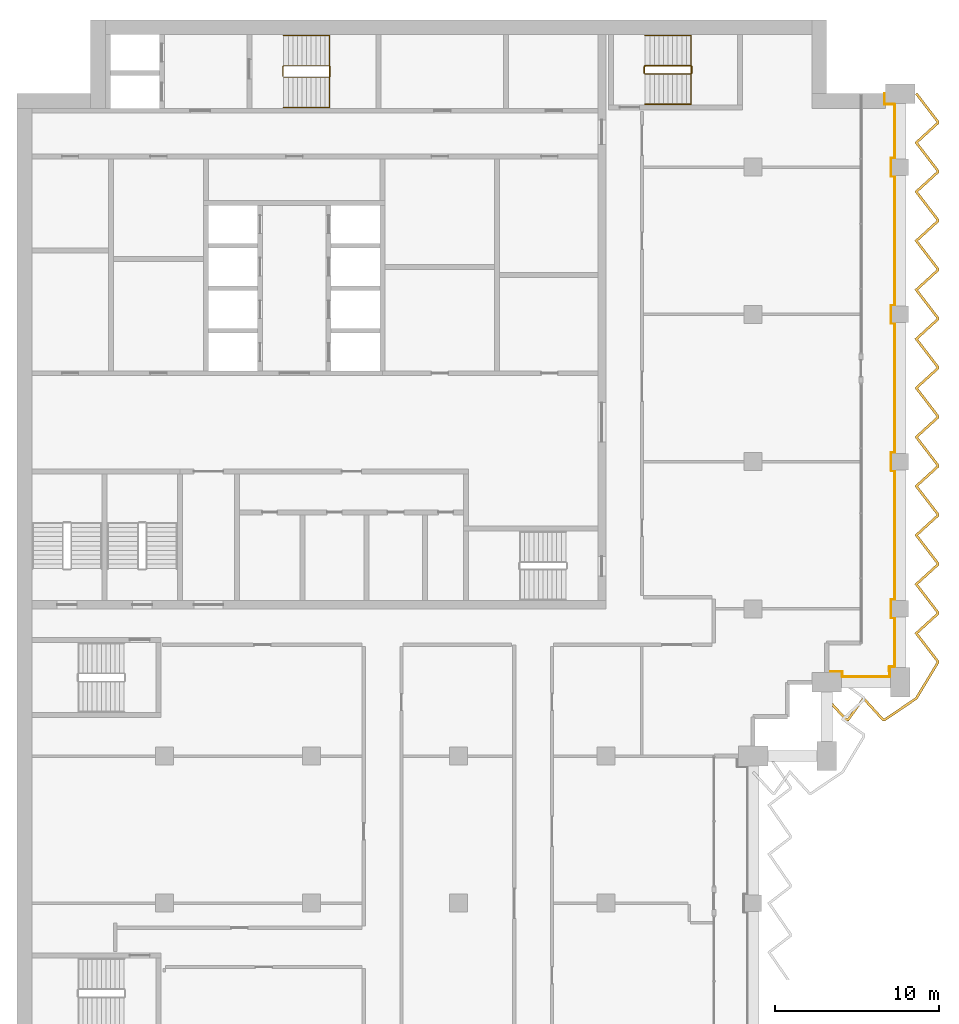
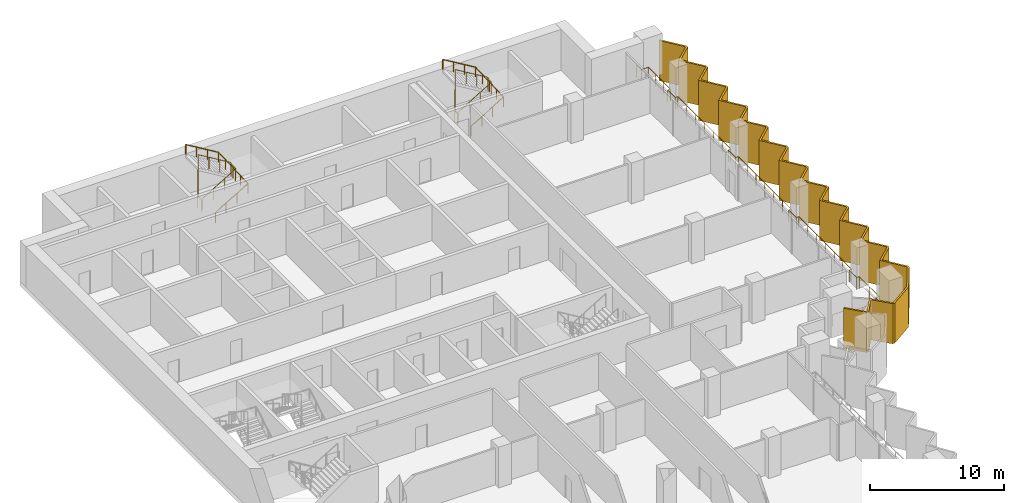
# One storey, part 17 of 17: 5 railings, 1 shading device.
"""IFC4 building model written with IfcOpenShell, lengths in metres."""

from ifc_helpers import new_model, si_unit, direction, frame, origin, origin_2d, place, context, subcontext, project, spatial, polyline, circle, outline, extrude, material, layer, layer_set, type_object, element, save


model = new_model("IFC4")

# Units and contexts
model_context = context("Model", 3, precision=1e-05, world=origin(), true_north=direction((0.0, 1.0)))
body_context = subcontext(model_context, "Body", "Model", "MODEL_VIEW")
ifc_project = project(units=[si_unit("LENGTHUNIT", "METRE"), si_unit("AREAUNIT", "SQUARE_METRE"), si_unit("VOLUMEUNIT", "CUBIC_METRE"), si_unit("PLANEANGLEUNIT", "RADIAN"), si_unit("MASSUNIT", "GRAM", prefix="KILO")], contexts=[model_context])

# Site, building, storey
site_placement = place(None, origin())
site = spatial("IfcSite", under=ifc_project, at=site_placement, CompositionType="ELEMENT")
building_placement = place(site_placement, origin())
building = spatial("IfcBuilding", under=site, at=building_placement, Name="Hunhe Ridgeline Campus", CompositionType="ELEMENT")
storey_placement = place(building_placement, frame((0.0, 0.0, 212.39990234375)))
storey = spatial("IfcBuildingStorey", under=building, at=storey_placement, Name="L54", CompositionType="ELEMENT", Elevation=212.39990234375)

# Railing
ifc_material_1 = material(Name="Steel Q355", Category="steel")
railing_type_1 = type_object("IfcRailingType", Name="Loggia guard 1100 Steel Q355", PredefinedType="GUARDRAIL", material=ifc_material_1)
railing_1_placement = place(storey_placement, frame((49.5, 59.169921875, 0.0)))
element("IfcRailing", 1, at=railing_1_placement, inside=storey, type_object=railing_type_1, Name="Loggia guard 2", PredefinedType="GUARDRAIL", context=body_context, shape_type="SweptSolid", body=[
    extrude(circle(Radius=0.02392578125, at=origin_2d()), frame((0.0, 0.0, 1.076171875), z_axis=(1.0, 0.0, 0.0), x_axis=(0.0, 1.0, 0.0)), (0.0, 0.0, 1.0), 0.949951171875),
    extrude(circle(Radius=0.02392578125, at=origin_2d()), frame((0.949951171875, 0.0, 1.076171875), z_axis=(0.0, -1.0, 0.0), x_axis=(1.0, 0.0, 0.0)), (0.0, 0.0, 1.0), 0.31982421875),
    extrude(circle(Radius=0.02392578125, at=origin_2d()), frame((0.949951171875, -0.31982421875, 1.076171875), z_axis=(1.0, 0.0, 0.0), x_axis=(0.0, 1.0, 0.0)), (0.0, 0.0, 1.0), 2.900146484375),
    extrude(circle(Radius=0.02392578125, at=origin_2d()), frame((3.85009765625, -0.31982421875, 1.076171875), z_axis=(0.0, 1.0, 0.0), x_axis=(-1.0, 0.0, 0.0)), (0.0, 0.0, 1.0), 0.619873046875),
    extrude(circle(Radius=0.02392578125, at=origin_2d()), frame((3.85009765625, 0.300048828125, 1.076171875), z_axis=(-0.066572895244, -0.99778156408, 0.0), x_axis=(0.99778156408, -0.066572895244, 0.0)), (0.0, 0.0, 1.0), 0.30078125),
    extrude(circle(Radius=0.02392578125, at=origin_2d()), frame((3.830078125, 0.0, 1.076171875), z_axis=(0.0, 1.0, 0.0), x_axis=(-1.0, 0.0, 0.0)), (0.0, 0.0, 1.0), 0.280029296875),
    extrude(circle(Radius=0.02392578125, at=origin_2d()), frame((3.830078125, 0.280029296875, 1.076171875), z_axis=(1.0, 0.0, 0.0), x_axis=(0.0, 1.0, 0.0)), (0.0, 0.0, 1.0), 0.31982421875),
    extrude(circle(Radius=0.02392578125, at=origin_2d()), frame((4.14990234375, 0.280029296875, 1.076171875), z_axis=(0.0, 1.0, 0.0), x_axis=(-1.0, 0.0, 0.0)), (0.0, 0.0, 1.0), 3.0),
    extrude(circle(Radius=0.02392578125, at=origin_2d()), frame((4.14990234375, 3.280029296875, 1.076171875), z_axis=(-1.0, 0.0, 0.0), x_axis=(0.0, -1.0, 0.0)), (0.0, 0.0, 1.0), 0.219970703125),
    extrude(circle(Radius=0.02392578125, at=origin_2d()), frame((3.929931640625, 3.280029296875, 1.076171875), z_axis=(0.0, 1.0, 0.0), x_axis=(-1.0, 0.0, 0.0)), (0.0, 0.0, 1.0), 1.10009765625),
    extrude(circle(Radius=0.02392578125, at=origin_2d()), frame((3.929931640625, 4.380126953125, 1.076171875), z_axis=(1.0, 0.0, 0.0), x_axis=(0.0, 1.0, 0.0)), (0.0, 0.0, 1.0), 0.219970703125),
    extrude(circle(Radius=0.02392578125, at=origin_2d()), frame((4.14990234375, 4.380126953125, 1.076171875), z_axis=(0.0, 1.0, 0.0), x_axis=(-1.0, 0.0, 0.0)), (0.0, 0.0, 1.0), 7.89990234375),
    extrude(circle(Radius=0.02392578125, at=origin_2d()), frame((4.14990234375, 12.280029296875, 1.076171875), z_axis=(-1.0, 0.0, 0.0), x_axis=(0.0, -1.0, 0.0)), (0.0, 0.0, 1.0), 0.219970703125),
    extrude(circle(Radius=0.02392578125, at=origin_2d()), frame((3.929931640625, 12.280029296875, 1.076171875), z_axis=(0.0, 1.0, 0.0), x_axis=(-1.0, 0.0, 0.0)), (0.0, 0.0, 1.0), 1.10009765625),
    extrude(circle(Radius=0.02392578125, at=origin_2d()), frame((3.929931640625, 13.380126953125, 1.076171875), z_axis=(1.0, 0.0, 0.0), x_axis=(0.0, 1.0, 0.0)), (0.0, 0.0, 1.0), 0.219970703125),
    extrude(circle(Radius=0.02392578125, at=origin_2d()), frame((4.14990234375, 13.380126953125, 1.076171875), z_axis=(0.0, 1.0, 0.0), x_axis=(-1.0, 0.0, 0.0)), (0.0, 0.0, 1.0), 7.89990234375),
    extrude(circle(Radius=0.02392578125, at=origin_2d()), frame((4.14990234375, 21.280029296875, 1.076171875), z_axis=(-1.0, 0.0, 0.0), x_axis=(0.0, -1.0, 0.0)), (0.0, 0.0, 1.0), 0.219970703125),
    extrude(circle(Radius=0.02392578125, at=origin_2d()), frame((3.929931640625, 21.280029296875, 1.076171875), z_axis=(0.0, 1.0, 0.0), x_axis=(-1.0, 0.0, 0.0)), (0.0, 0.0, 1.0), 1.10009765625),
    extrude(circle(Radius=0.02392578125, at=origin_2d()), frame((3.929931640625, 22.380126953125, 1.076171875), z_axis=(1.0, 0.0, 0.0), x_axis=(0.0, 1.0, 0.0)), (0.0, 0.0, 1.0), 0.219970703125),
    extrude(circle(Radius=0.02392578125, at=origin_2d()), frame((4.14990234375, 22.380126953125, 1.076171875), z_axis=(0.0, 1.0, 0.0), x_axis=(-1.0, 0.0, 0.0)), (0.0, 0.0, 1.0), 7.89990234375),
    extrude(circle(Radius=0.02392578125, at=origin_2d()), frame((4.14990234375, 30.280029296875, 1.076171875), z_axis=(-1.0, 0.0, 0.0), x_axis=(0.0, -1.0, 0.0)), (0.0, 0.0, 1.0), 0.219970703125),
    extrude(circle(Radius=0.02392578125, at=origin_2d()), frame((3.929931640625, 30.280029296875, 1.076171875), z_axis=(0.0, 1.0, 0.0), x_axis=(-1.0, 0.0, 0.0)), (0.0, 0.0, 1.0), 1.10009765625),
    extrude(circle(Radius=0.02392578125, at=origin_2d()), frame((3.929931640625, 31.380126953125, 1.076171875), z_axis=(1.0, 0.0, 0.0), x_axis=(0.0, 1.0, 0.0)), (0.0, 0.0, 1.0), 0.219970703125),
    extrude(circle(Radius=0.02392578125, at=origin_2d()), frame((4.14990234375, 31.380126953125, 1.076171875), z_axis=(0.0, 1.0, 0.0), x_axis=(-1.0, 0.0, 0.0)), (0.0, 0.0, 1.0), 3.300048828125),
    extrude(circle(Radius=0.02392578125, at=origin_2d()), frame((4.14990234375, 34.68017578125, 1.076171875), z_axis=(-1.0, 0.0, 0.0), x_axis=(0.0, -1.0, 0.0)), (0.0, 0.0, 1.0), 0.619873046875),
    extrude(circle(Radius=0.02392578125, at=origin_2d()), frame((3.530029296875, 34.68017578125, 1.076171875), z_axis=(0.0, 1.0, 0.0), x_axis=(-1.0, 0.0, 0.0)), (0.0, 0.0, 1.0), 0.64990234375),
    extrude(circle(Radius=0.02099609375, at=origin_2d()), origin(), (0.0, 0.0, 1.0), 1.052001953125),
    extrude(circle(Radius=0.02099609375, at=origin_2d()), frame((0.949951171875, 0.0, 0.0)), (0.0, 0.0, 1.0), 1.052001953125),
    extrude(circle(Radius=0.02099609375, at=origin_2d()), frame((0.949951171875, -0.31982421875, 0.0)), (0.0, 0.0, 1.0), 1.052001953125),
    extrude(circle(Radius=0.02099609375, at=origin_2d()), frame((2.39990234375, -0.31982421875, 0.0)), (0.0, 0.0, 1.0), 1.052001953125),
    extrude(circle(Radius=0.02099609375, at=origin_2d()), frame((3.85009765625, -0.31982421875, 0.0)), (0.0, 0.0, 1.0), 1.052001953125),
    extrude(circle(Radius=0.02099609375, at=origin_2d()), frame((3.85009765625, 0.300048828125, 0.0)), (0.0, 0.0, 1.0), 1.052001953125),
    extrude(circle(Radius=0.02099609375, at=origin_2d()), frame((3.830078125, 0.0, 0.0)), (0.0, 0.0, 1.0), 1.052001953125),
    extrude(circle(Radius=0.02099609375, at=origin_2d()), frame((3.830078125, 0.280029296875, 0.0)), (0.0, 0.0, 1.0), 1.052001953125),
    extrude(circle(Radius=0.02099609375, at=origin_2d()), frame((4.14990234375, 0.280029296875, 0.0)), (0.0, 0.0, 1.0), 1.052001953125),
    extrude(circle(Radius=0.02099609375, at=origin_2d()), frame((4.14990234375, 1.780029296875, 0.0)), (0.0, 0.0, 1.0), 1.052001953125),
    extrude(circle(Radius=0.02099609375, at=origin_2d()), frame((4.14990234375, 3.280029296875, 0.0)), (0.0, 0.0, 1.0), 1.052001953125),
    extrude(circle(Radius=0.02099609375, at=origin_2d()), frame((3.929931640625, 3.280029296875, 0.0)), (0.0, 0.0, 1.0), 1.052001953125),
    extrude(circle(Radius=0.02099609375, at=origin_2d()), frame((3.929931640625, 4.380126953125, 0.0)), (0.0, 0.0, 1.0), 1.052001953125),
    extrude(circle(Radius=0.02099609375, at=origin_2d()), frame((4.14990234375, 4.380126953125, 0.0)), (0.0, 0.0, 1.0), 1.052001953125),
    extrude(circle(Radius=0.02099609375, at=origin_2d()), frame((4.14990234375, 5.69677734375, 0.0)), (0.0, 0.0, 1.0), 1.052001953125),
    extrude(circle(Radius=0.02099609375, at=origin_2d()), frame((4.14990234375, 7.013427734375, 0.0)), (0.0, 0.0, 1.0), 1.052001953125),
    extrude(circle(Radius=0.02099609375, at=origin_2d()), frame((4.14990234375, 8.330078125, 0.0)), (0.0, 0.0, 1.0), 1.052001953125),
    extrude(circle(Radius=0.02099609375, at=origin_2d()), frame((4.14990234375, 9.646728515625, 0.0)), (0.0, 0.0, 1.0), 1.052001953125),
    extrude(circle(Radius=0.02099609375, at=origin_2d()), frame((4.14990234375, 10.96337890625, 0.0)), (0.0, 0.0, 1.0), 1.052001953125),
    extrude(circle(Radius=0.02099609375, at=origin_2d()), frame((4.14990234375, 12.280029296875, 0.0)), (0.0, 0.0, 1.0), 1.052001953125),
    extrude(circle(Radius=0.02099609375, at=origin_2d()), frame((3.929931640625, 12.280029296875, 0.0)), (0.0, 0.0, 1.0), 1.052001953125),
    extrude(circle(Radius=0.02099609375, at=origin_2d()), frame((3.929931640625, 13.380126953125, 0.0)), (0.0, 0.0, 1.0), 1.052001953125),
    extrude(circle(Radius=0.02099609375, at=origin_2d()), frame((4.14990234375, 13.380126953125, 0.0)), (0.0, 0.0, 1.0), 1.052001953125),
    extrude(circle(Radius=0.02099609375, at=origin_2d()), frame((4.14990234375, 14.69677734375, 0.0)), (0.0, 0.0, 1.0), 1.052001953125),
    extrude(circle(Radius=0.02099609375, at=origin_2d()), frame((4.14990234375, 16.013427734375, 0.0)), (0.0, 0.0, 1.0), 1.052001953125),
    extrude(circle(Radius=0.02099609375, at=origin_2d()), frame((4.14990234375, 17.330078125, 0.0)), (0.0, 0.0, 1.0), 1.052001953125),
    extrude(circle(Radius=0.02099609375, at=origin_2d()), frame((4.14990234375, 18.646728515625, 0.0)), (0.0, 0.0, 1.0), 1.052001953125),
    extrude(circle(Radius=0.02099609375, at=origin_2d()), frame((4.14990234375, 19.96337890625, 0.0)), (0.0, 0.0, 1.0), 1.052001953125),
    extrude(circle(Radius=0.02099609375, at=origin_2d()), frame((4.14990234375, 21.280029296875, 0.0)), (0.0, 0.0, 1.0), 1.052001953125),
    extrude(circle(Radius=0.02099609375, at=origin_2d()), frame((3.929931640625, 21.280029296875, 0.0)), (0.0, 0.0, 1.0), 1.052001953125),
    extrude(circle(Radius=0.02099609375, at=origin_2d()), frame((3.929931640625, 22.380126953125, 0.0)), (0.0, 0.0, 1.0), 1.052001953125),
    extrude(circle(Radius=0.02099609375, at=origin_2d()), frame((4.14990234375, 22.380126953125, 0.0)), (0.0, 0.0, 1.0), 1.052001953125),
    extrude(circle(Radius=0.02099609375, at=origin_2d()), frame((4.14990234375, 23.69677734375, 0.0)), (0.0, 0.0, 1.0), 1.052001953125),
    extrude(circle(Radius=0.02099609375, at=origin_2d()), frame((4.14990234375, 25.013427734375, 0.0)), (0.0, 0.0, 1.0), 1.052001953125),
    extrude(circle(Radius=0.02099609375, at=origin_2d()), frame((4.14990234375, 26.330078125, 0.0)), (0.0, 0.0, 1.0), 1.052001953125),
    extrude(circle(Radius=0.02099609375, at=origin_2d()), frame((4.14990234375, 27.646728515625, 0.0)), (0.0, 0.0, 1.0), 1.052001953125),
    extrude(circle(Radius=0.02099609375, at=origin_2d()), frame((4.14990234375, 28.96337890625, 0.0)), (0.0, 0.0, 1.0), 1.052001953125),
    extrude(circle(Radius=0.02099609375, at=origin_2d()), frame((4.14990234375, 30.280029296875, 0.0)), (0.0, 0.0, 1.0), 1.052001953125),
    extrude(circle(Radius=0.02099609375, at=origin_2d()), frame((3.929931640625, 30.280029296875, 0.0)), (0.0, 0.0, 1.0), 1.052001953125),
    extrude(circle(Radius=0.02099609375, at=origin_2d()), frame((3.929931640625, 31.380126953125, 0.0)), (0.0, 0.0, 1.0), 1.052001953125),
    extrude(circle(Radius=0.02099609375, at=origin_2d()), frame((4.14990234375, 31.380126953125, 0.0)), (0.0, 0.0, 1.0), 1.052001953125),
    extrude(circle(Radius=0.02099609375, at=origin_2d()), frame((4.14990234375, 32.480224609375, 0.0)), (0.0, 0.0, 1.0), 1.052001953125),
    extrude(circle(Radius=0.02099609375, at=origin_2d()), frame((4.14990234375, 33.580078125, 0.0)), (0.0, 0.0, 1.0), 1.052001953125),
    extrude(circle(Radius=0.02099609375, at=origin_2d()), frame((4.14990234375, 34.68017578125, 0.0)), (0.0, 0.0, 1.0), 1.052001953125),
    extrude(circle(Radius=0.02099609375, at=origin_2d()), frame((3.530029296875, 34.68017578125, 0.0)), (0.0, 0.0, 1.0), 1.052001953125),
    extrude(circle(Radius=0.02099609375, at=origin_2d()), frame((3.530029296875, 35.330078125, 0.0)), (0.0, 0.0, 1.0), 1.052001953125),
])

# Shading device
ifc_material_2 = material(Name="Concrete C50", Category="concrete")
ifc_layer = layer(ifc_material_2, 0.14990234375)
ifc_layer_set = layer_set([ifc_layer], Name="Sawtooth concrete fin 150 Concrete C50")
shading_device_type = type_object("IfcShadingDeviceType", Name="Sawtooth concrete fin 150 Concrete C50", PredefinedType="USERDEFINED", material=ifc_layer_set)
shading_device_placement = place(storey_placement, frame((0.0, 0.0, -0.949951171875)))
element("IfcShadingDevice", 2, at=shading_device_placement, inside=storey, type_object=shading_device_type, Name="Concrete fin screen 3", ObjectType="FIN", PredefinedType="USERDEFINED", context=body_context, shape_type="SweptSolid", body=[
    extrude(outline(polyline([(49.555419921875, 57.575439453125), (49.444580078125, 57.474365234375), (50.65283203125, 56.14990234375), (50.84423828125, 56.14990234375), (51.756591796875, 57.406494140625), (52.90283203125, 56.14990234375), (53.0791015625, 56.14990234375), (55.03076171875, 57.47216796875), (56.35009765625, 59.665283203125), (56.35009765625, 59.83154296875), (55.076416015625, 61.490966796875), (56.35009765625, 62.65283203125), (56.35009765625, 62.83154296875), (55.076416015625, 64.490966796875), (56.35009765625, 65.65283203125), (56.35009765625, 65.83154296875), (55.076416015625, 67.490966796875), (56.35009765625, 68.65283203125), (56.35009765625, 68.83154296875), (55.076416015625, 70.490966796875), (56.35009765625, 71.65283203125), (56.35009765625, 71.83154296875), (55.076416015625, 73.490966796875), (56.35009765625, 74.65283203125), (56.35009765625, 74.83154296875), (55.076416015625, 76.490966796875), (56.35009765625, 77.65283203125), (56.35009765625, 77.83154296875), (55.076416015625, 79.490966796875), (56.35009765625, 80.65283203125), (56.35009765625, 80.83154296875), (55.076416015625, 82.490966796875), (56.35009765625, 83.65283203125), (56.35009765625, 83.83154296875), (55.076416015625, 85.490966796875), (56.35009765625, 86.65283203125), (56.35009765625, 86.83154296875), (55.076416015625, 88.490966796875), (56.35009765625, 89.65283203125), (56.35009765625, 89.83154296875), (55.076416015625, 91.490966796875), (56.35009765625, 92.65283203125), (56.35009765625, 92.83154296875), (55.034423828125, 94.545654296875), (54.91552734375, 94.454345703125), (56.199951171875, 92.780517578125), (56.199951171875, 92.71923828125), (54.87353515625, 91.509033203125), (56.199951171875, 89.780517578125), (56.199951171875, 89.71923828125), (54.87353515625, 88.509033203125), (56.199951171875, 86.780517578125), (56.199951171875, 86.71923828125), (54.87353515625, 85.509033203125), (56.199951171875, 83.780517578125), (56.199951171875, 83.71923828125), (54.87353515625, 82.509033203125), (56.199951171875, 80.780517578125), (56.199951171875, 80.71923828125), (54.87353515625, 79.509033203125), (56.199951171875, 77.780517578125), (56.199951171875, 77.71923828125), (54.87353515625, 76.509033203125), (56.199951171875, 74.780517578125), (56.199951171875, 74.71923828125), (54.87353515625, 73.509033203125), (56.199951171875, 71.780517578125), (56.199951171875, 71.71923828125), (54.87353515625, 70.509033203125), (56.199951171875, 68.780517578125), (56.199951171875, 68.71923828125), (54.87353515625, 67.509033203125), (56.199951171875, 65.780517578125), (56.199951171875, 65.71923828125), (54.87353515625, 64.509033203125), (56.199951171875, 62.780517578125), (56.199951171875, 62.71923828125), (54.87353515625, 61.509033203125), (56.199951171875, 59.780517578125), (56.199951171875, 59.706787109375), (54.919189453125, 57.577880859375), (53.032958984375, 56.300048828125), (52.96923828125, 56.300048828125), (51.743408203125, 57.6435546875), (50.767822265625, 56.300048828125), (50.71923828125, 56.300048828125), (49.555419921875, 57.575439453125)])), origin(), (0.0, 0.0, 1.0), 3.650146484375),
])

# Railings
ifc_material_3 = material(Name="Stainless steel balustrade", Category="steel")
railing_type_2 = type_object("IfcRailingType", Name="Stair guard 1100 stainless", PredefinedType="GUARDRAIL", material=ifc_material_3)
railing_2_placement = place(storey_placement, frame((16.300048828125, 95.5, 0.168212890625)))
element("IfcRailing", 3, at=railing_2_placement, inside=storey, type_object=railing_type_2, Name="L54 stair S1 guard", PredefinedType="GUARDRAIL", context=body_context, shape_type="SweptSolid", body=[
    extrude(circle(Radius=0.02392578125, at=origin_2d()), frame((0.0, 0.0, 1.076171875), z_axis=(0.857242210791, 0.0, 0.514913383045), x_axis=(0.0, 1.0, 0.0)), (0.0, 0.0, 1.0), 3.266357421875),
    extrude(circle(Radius=0.02392578125, at=origin_2d()), frame((2.800048828125, 0.0, 2.7578125), z_axis=(0.705375805398, 0.708833529934, 0.0), x_axis=(-0.708833529934, 0.705375805398, 0.0)), (0.0, 0.0, 1.0), 0.070556640625),
    extrude(circle(Radius=0.02392578125, at=origin_2d()), frame((2.849853515625, 0.050048828125, 2.7578125), z_axis=(0.0, 1.0, 0.0), x_axis=(-1.0, 0.0, 0.0)), (0.0, 0.0, 1.0), 0.599853515625),
    extrude(circle(Radius=0.02392578125, at=origin_2d()), frame((2.849853515625, 0.64990234375, 2.7578125), z_axis=(-0.273006030465, 0.27434429532, 0.922064485248), x_axis=(-0.708833529934, -0.705375805398, 0.0)), (0.0, 0.0, 1.0), 0.182373046875),
    extrude(circle(Radius=0.02392578125, at=origin_2d()), frame((2.800048828125, 0.699951171875, 2.92626953125), z_axis=(-0.857242210791, 0.0, 0.514913383045), x_axis=(0.0, -1.0, 0.0)), (0.0, 0.0, 1.0), 3.266357421875),
    extrude(circle(Radius=0.02392578125, at=origin_2d()), frame((0.0, 0.699951171875, 4.60791015625), z_axis=(-0.013523522368, -0.013523522368, -0.999817097616), x_axis=(0.707106781187, -0.707106781187, 0.0)), (0.0, 0.0, 1.0), 3.700927734375),
    extrude(circle(Radius=0.02392578125, at=origin_2d()), frame((-0.050048828125, 0.64990234375, 0.90771484375), z_axis=(0.0, -1.0, 0.0), x_axis=(1.0, 0.0, 0.0)), (0.0, 0.0, 1.0), 0.599853515625),
    extrude(circle(Radius=0.02099609375, at=origin_2d()), origin(), (0.0, 0.0, 1.0), 1.052001953125),
    extrude(circle(Radius=0.02099609375, at=origin_2d()), frame((0.933349609375, 0.0, 0.560546875)), (0.0, 0.0, 1.0), 1.052001953125),
    extrude(circle(Radius=0.02099609375, at=origin_2d()), frame((1.86669921875, 0.0, 1.121337890625)), (0.0, 0.0, 1.0), 1.052001953125),
    extrude(circle(Radius=0.02099609375, at=origin_2d()), frame((2.800048828125, 0.0, 1.681884765625)), (0.0, 0.0, 1.0), 1.052001953125),
    extrude(circle(Radius=0.02099609375, at=origin_2d()), frame((2.849853515625, 0.050048828125, 1.681884765625)), (0.0, 0.0, 1.0), 1.052001953125),
    extrude(circle(Radius=0.02099609375, at=origin_2d()), frame((2.849853515625, 0.64990234375, 1.681884765625)), (0.0, 0.0, 1.0), 1.052001953125),
    extrude(circle(Radius=0.02099609375, at=origin_2d()), frame((2.800048828125, 0.699951171875, 1.85009765625)), (0.0, 0.0, 1.0), 1.052001953125),
    extrude(circle(Radius=0.02099609375, at=origin_2d()), frame((1.86669921875, 0.699951171875, 2.41064453125)), (0.0, 0.0, 1.0), 1.052001953125),
    extrude(circle(Radius=0.02099609375, at=origin_2d()), frame((0.933349609375, 0.699951171875, 2.971435546875)), (0.0, 0.0, 1.0), 1.052001953125),
    extrude(circle(Radius=0.02099609375, at=origin_2d()), frame((0.0, 0.699951171875, 3.531982421875)), (0.0, 0.0, 1.0), 1.052001953125),
    extrude(circle(Radius=0.02099609375, at=origin_2d()), frame((-0.012451171875, 0.6875, 2.60693359375)), (0.0, 0.0, 1.0), 1.052001953125),
    extrude(circle(Radius=0.02099609375, at=origin_2d()), frame((-0.02490234375, 0.6748046875, 1.681884765625)), (0.0, 0.0, 1.0), 1.052001953125),
    extrude(circle(Radius=0.02099609375, at=origin_2d()), frame((-0.03759765625, 0.662353515625, 0.7568359375)), (0.0, 0.0, 1.0), 1.052001953125),
    extrude(circle(Radius=0.02099609375, at=origin_2d()), frame((-0.050048828125, 0.64990234375, -0.168212890625)), (0.0, 0.0, 1.0), 1.052001953125),
    extrude(circle(Radius=0.02099609375, at=origin_2d()), frame((-0.050048828125, 0.050048828125, -0.168212890625)), (0.0, 0.0, 1.0), 1.052001953125),
])
railing_3_placement = place(storey_placement, frame((38.39990234375, 95.699951171875, 0.168212890625)))
element("IfcRailing", 4, at=railing_3_placement, inside=storey, type_object=railing_type_2, Name="L54 stair E1 guard", PredefinedType="GUARDRAIL", context=body_context, shape_type="SweptSolid", body=[
    extrude(circle(Radius=0.02392578125, at=origin_2d()), frame((0.0, 0.0, 1.076171875), z_axis=(0.857242210791, 0.0, 0.514913383045), x_axis=(0.0, 1.0, 0.0)), (0.0, 0.0, 1.0), 3.266357421875),
    extrude(circle(Radius=0.02392578125, at=origin_2d()), frame((2.800048828125, 0.0, 2.7578125), z_axis=(0.707106781187, 0.707106781187, 0.0), x_axis=(-0.707106781187, 0.707106781187, 0.0)), (0.0, 0.0, 1.0), 0.07080078125),
    extrude(circle(Radius=0.02392578125, at=origin_2d()), frame((2.85009765625, 0.050048828125, 2.7578125), z_axis=(0.0, 1.0, 0.0), x_axis=(-1.0, 0.0, 0.0)), (0.0, 0.0, 1.0), 0.39990234375),
    extrude(circle(Radius=0.02392578125, at=origin_2d()), frame((2.85009765625, 0.449951171875, 2.7578125), z_axis=(-0.274243871929, 0.274243871929, 0.92172696468), x_axis=(-0.707106781187, -0.707106781187, 0.0)), (0.0, 0.0, 1.0), 0.1826171875),
    extrude(circle(Radius=0.02392578125, at=origin_2d()), frame((2.800048828125, 0.5, 2.92626953125), z_axis=(-0.857242210791, 0.0, 0.514913383045), x_axis=(0.0, -1.0, 0.0)), (0.0, 0.0, 1.0), 3.266357421875),
    extrude(circle(Radius=0.02392578125, at=origin_2d()), frame((0.0, 0.5, 4.60791015625), z_axis=(-0.013457565943, -0.013523534403, -0.999817987404), x_axis=(0.708833529934, -0.705375805398, 0.0)), (0.0, 0.0, 1.0), 3.700927734375),
    extrude(circle(Radius=0.02392578125, at=origin_2d()), frame((-0.0498046875, 0.449951171875, 0.90771484375), z_axis=(0.0, -1.0, 0.0), x_axis=(1.0, 0.0, 0.0)), (0.0, 0.0, 1.0), 0.39990234375),
    extrude(circle(Radius=0.02099609375, at=origin_2d()), origin(), (0.0, 0.0, 1.0), 1.052001953125),
    extrude(circle(Radius=0.02099609375, at=origin_2d()), frame((0.933349609375, 0.0, 0.560546875)), (0.0, 0.0, 1.0), 1.052001953125),
    extrude(circle(Radius=0.02099609375, at=origin_2d()), frame((1.86669921875, 0.0, 1.121337890625)), (0.0, 0.0, 1.0), 1.052001953125),
    extrude(circle(Radius=0.02099609375, at=origin_2d()), frame((2.800048828125, 0.0, 1.681884765625)), (0.0, 0.0, 1.0), 1.052001953125),
    extrude(circle(Radius=0.02099609375, at=origin_2d()), frame((2.85009765625, 0.050048828125, 1.681884765625)), (0.0, 0.0, 1.0), 1.052001953125),
    extrude(circle(Radius=0.02099609375, at=origin_2d()), frame((2.85009765625, 0.449951171875, 1.681884765625)), (0.0, 0.0, 1.0), 1.052001953125),
    extrude(circle(Radius=0.02099609375, at=origin_2d()), frame((2.800048828125, 0.5, 1.85009765625)), (0.0, 0.0, 1.0), 1.052001953125),
    extrude(circle(Radius=0.02099609375, at=origin_2d()), frame((1.86669921875, 0.5, 2.41064453125)), (0.0, 0.0, 1.0), 1.052001953125),
    extrude(circle(Radius=0.02099609375, at=origin_2d()), frame((0.933349609375, 0.5, 2.971435546875)), (0.0, 0.0, 1.0), 1.052001953125),
    extrude(circle(Radius=0.02099609375, at=origin_2d()), frame((0.0, 0.5, 3.531982421875)), (0.0, 0.0, 1.0), 1.052001953125),
    extrude(circle(Radius=0.02099609375, at=origin_2d()), frame((-0.012451171875, 0.487548828125, 2.60693359375)), (0.0, 0.0, 1.0), 1.052001953125),
    extrude(circle(Radius=0.02099609375, at=origin_2d()), frame((-0.02490234375, 0.47509765625, 1.681884765625)), (0.0, 0.0, 1.0), 1.052001953125),
    extrude(circle(Radius=0.02099609375, at=origin_2d()), frame((-0.037353515625, 0.46240234375, 0.7568359375)), (0.0, 0.0, 1.0), 1.052001953125),
    extrude(circle(Radius=0.02099609375, at=origin_2d()), frame((-0.0498046875, 0.449951171875, -0.168212890625)), (0.0, 0.0, 1.0), 1.052001953125),
    extrude(circle(Radius=0.02099609375, at=origin_2d()), frame((-0.0498046875, 0.050048828125, -0.168212890625)), (0.0, 0.0, 1.0), 1.052001953125),
])
ifc_material_4 = material(Name="Stainless steel handrail", Category="steel")
railing_type_3 = type_object("IfcRailingType", Name="Stair handrail 900 stainless", PredefinedType="HANDRAIL", material=ifc_material_4)
railing_4_placement = place(storey_placement, frame((16.300048828125, 93.64990234375, 0.168212890625)))
element("IfcRailing", 5, at=railing_4_placement, inside=storey, type_object=railing_type_3, Name="L54 stair S1 handrail", PredefinedType="HANDRAIL", context=body_context, shape_type="SweptSolid", body=[
    extrude(circle(Radius=0.02392578125, at=origin_2d()), frame((0.0, 0.0, 0.8759765625), z_axis=(0.857242210791, 0.0, 0.514913383045), x_axis=(0.0, 1.0, 0.0)), (0.0, 0.0, 1.0), 3.266357421875),
    extrude(circle(Radius=0.02392578125, at=origin_2d()), frame((2.800048828125, 0.0, 2.5576171875), z_axis=(0.0, 0.999270074432, 0.038201025428), x_axis=(-1.0, 0.0, 0.0)), (0.0, 0.0, 1.0), 4.4033203125),
    extrude(circle(Radius=0.02392578125, at=origin_2d()), frame((2.800048828125, 4.400146484375, 2.72607421875), z_axis=(-0.857242210791, 0.0, 0.514913383045), x_axis=(0.0, -1.0, 0.0)), (0.0, 0.0, 1.0), 3.266357421875),
    extrude(circle(Radius=0.02099609375, at=origin_2d()), origin(), (0.0, 0.0, 1.0), 0.851806640625),
    extrude(circle(Radius=0.02099609375, at=origin_2d()), frame((0.933349609375, 0.0, 0.560546875)), (0.0, 0.0, 1.0), 0.851806640625),
    extrude(circle(Radius=0.02099609375, at=origin_2d()), frame((1.86669921875, 0.0, 1.121337890625)), (0.0, 0.0, 1.0), 0.851806640625),
    extrude(circle(Radius=0.02099609375, at=origin_2d()), frame((2.800048828125, 0.0, 1.681884765625)), (0.0, 0.0, 1.0), 0.851806640625),
    extrude(circle(Radius=0.02099609375, at=origin_2d()), frame((2.800048828125, 1.10009765625, 1.723876953125)), (0.0, 0.0, 1.0), 0.851806640625),
    extrude(circle(Radius=0.02099609375, at=origin_2d()), frame((2.800048828125, 2.2001953125, 1.76611328125)), (0.0, 0.0, 1.0), 0.851806640625),
    extrude(circle(Radius=0.02099609375, at=origin_2d()), frame((2.800048828125, 3.300048828125, 1.80810546875)), (0.0, 0.0, 1.0), 0.851806640625),
    extrude(circle(Radius=0.02099609375, at=origin_2d()), frame((2.800048828125, 4.400146484375, 1.85009765625)), (0.0, 0.0, 1.0), 0.851806640625),
    extrude(circle(Radius=0.02099609375, at=origin_2d()), frame((1.86669921875, 4.400146484375, 2.41064453125)), (0.0, 0.0, 1.0), 0.851806640625),
    extrude(circle(Radius=0.02099609375, at=origin_2d()), frame((0.933349609375, 4.400146484375, 2.971435546875)), (0.0, 0.0, 1.0), 0.851806640625),
    extrude(circle(Radius=0.02099609375, at=origin_2d()), frame((0.0, 4.400146484375, 3.531982421875)), (0.0, 0.0, 1.0), 0.851806640625),
])
railing_5_placement = place(storey_placement, frame((38.39990234375, 93.85009765625, 0.168212890625)))
element("IfcRailing", 6, at=railing_5_placement, inside=storey, type_object=railing_type_3, Name="L54 stair E1 handrail", PredefinedType="HANDRAIL", context=body_context, shape_type="SweptSolid", body=[
    extrude(circle(Radius=0.02392578125, at=origin_2d()), frame((0.0, 0.0, 0.8759765625), z_axis=(0.857242210791, 0.0, 0.514913383045), x_axis=(0.0, 1.0, 0.0)), (0.0, 0.0, 1.0), 3.266357421875),
    extrude(circle(Radius=0.02392578125, at=origin_2d()), frame((2.800048828125, 0.0, 2.5576171875), z_axis=(0.0, 0.999198916169, 0.040019069537), x_axis=(-1.0, 0.0, 0.0)), (0.0, 0.0, 1.0), 4.203369140625),
    extrude(circle(Radius=0.02392578125, at=origin_2d()), frame((2.800048828125, 4.199951171875, 2.72607421875), z_axis=(-0.857242210791, 0.0, 0.514913383045), x_axis=(0.0, -1.0, 0.0)), (0.0, 0.0, 1.0), 3.266357421875),
    extrude(circle(Radius=0.02099609375, at=origin_2d()), origin(), (0.0, 0.0, 1.0), 0.851806640625),
    extrude(circle(Radius=0.02099609375, at=origin_2d()), frame((0.933349609375, 0.0, 0.560546875)), (0.0, 0.0, 1.0), 0.851806640625),
    extrude(circle(Radius=0.02099609375, at=origin_2d()), frame((1.86669921875, 0.0, 1.121337890625)), (0.0, 0.0, 1.0), 0.851806640625),
    extrude(circle(Radius=0.02099609375, at=origin_2d()), frame((2.800048828125, 0.0, 1.681884765625)), (0.0, 0.0, 1.0), 0.851806640625),
    extrude(circle(Radius=0.02099609375, at=origin_2d()), frame((2.800048828125, 1.050048828125, 1.723876953125)), (0.0, 0.0, 1.0), 0.851806640625),
    extrude(circle(Radius=0.02099609375, at=origin_2d()), frame((2.800048828125, 2.10009765625, 1.76611328125)), (0.0, 0.0, 1.0), 0.851806640625),
    extrude(circle(Radius=0.02099609375, at=origin_2d()), frame((2.800048828125, 3.14990234375, 1.80810546875)), (0.0, 0.0, 1.0), 0.851806640625),
    extrude(circle(Radius=0.02099609375, at=origin_2d()), frame((2.800048828125, 4.199951171875, 1.85009765625)), (0.0, 0.0, 1.0), 0.851806640625),
    extrude(circle(Radius=0.02099609375, at=origin_2d()), frame((1.86669921875, 4.199951171875, 2.41064453125)), (0.0, 0.0, 1.0), 0.851806640625),
    extrude(circle(Radius=0.02099609375, at=origin_2d()), frame((0.933349609375, 4.199951171875, 2.971435546875)), (0.0, 0.0, 1.0), 0.851806640625),
    extrude(circle(Radius=0.02099609375, at=origin_2d()), frame((0.0, 4.199951171875, 3.531982421875)), (0.0, 0.0, 1.0), 0.851806640625),
])

save(model, "model.ifc")
